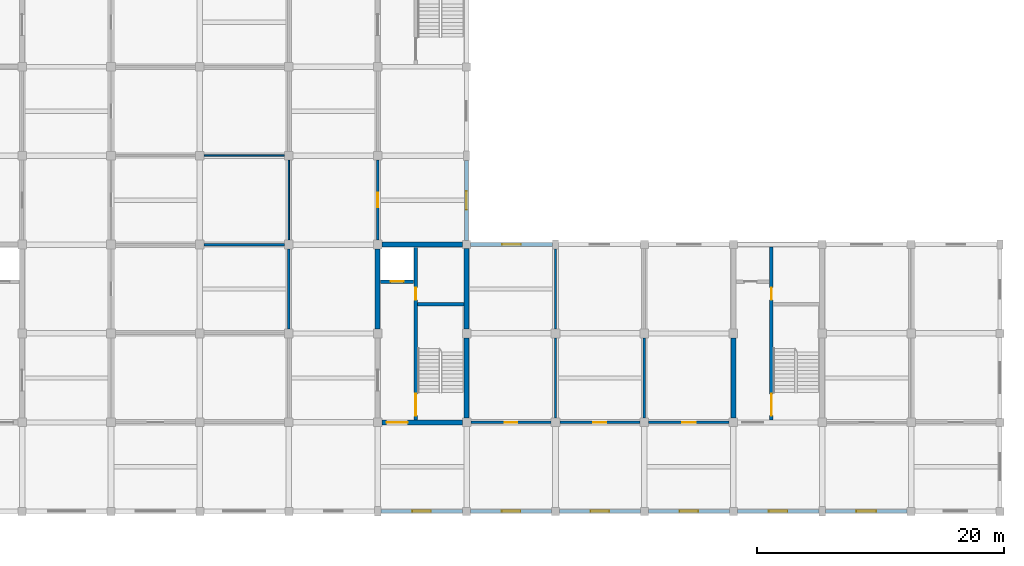
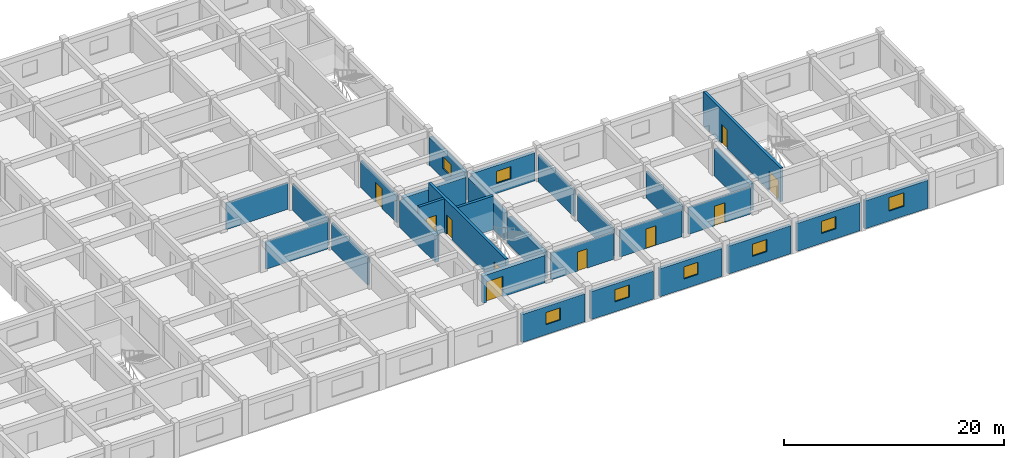
# One storey, part 7 of 11: 29 walls, 10 doors, 8 windows, 18 openings.
"""IFC4 building model written with IfcOpenShell, lengths in metres."""

from ifc_helpers import new_model, si_unit, direction, frame, frame_2d, origin, place, context, subcontext, project, spatial, rectangle, extrude, material, layer, layer_set, type_object, element, fill, save


model = new_model("IFC4")

# Units and contexts
model_context = context("Model", 3, precision=1e-05, world=origin(), true_north=direction((0.0, 1.0)))
body_context = subcontext(model_context, "Body", "Model", "MODEL_VIEW")
ifc_project = project(units=[si_unit("LENGTHUNIT", "METRE"), si_unit("AREAUNIT", "SQUARE_METRE"), si_unit("VOLUMEUNIT", "CUBIC_METRE"), si_unit("PLANEANGLEUNIT", "RADIAN"), si_unit("MASSUNIT", "GRAM", prefix="KILO")], contexts=[model_context])

# Site, building, storey
site_placement = place(None, origin())
site = spatial("IfcSite", under=ifc_project, at=site_placement, CompositionType="ELEMENT")
building_placement = place(site_placement, origin())
building = spatial("IfcBuilding", under=site, at=building_placement, Name="Cendaluz Park School", CompositionType="ELEMENT")
storey_placement = place(building_placement, frame((0.0, 0.0, 26.60009765625)))
storey = spatial("IfcBuildingStorey", under=building, at=storey_placement, Name="L06", CompositionType="ELEMENT", Elevation=26.60009765625)

# Wall, opening, door
ifc_material_1 = material(Name="Gypsum Plasterboard on Cold-Formed Stud", Category="gypsum")
ifc_layer_1 = layer(ifc_material_1, 0.199951171875)
ifc_layer_set_1 = layer_set([ifc_layer_1], Name="Gypsum Plasterboard on Cold-Formed Stud")
wall_type_1 = type_object("IfcWallType", Name="W-AC20", PredefinedType="PARTITIONING", material=ifc_layer_set_1)
wall_1_placement = place(storey_placement, frame((108.35009765625, 14.39990234375, 0.0), z_axis=(0.0, 0.0, 1.0), x_axis=(1.0, 0.0, 0.0)))
wall_1 = element("IfcWall", 1, at=wall_1_placement, inside=storey, type_object=wall_type_1, Name="WL-FG-BP1", PredefinedType="PARTITIONING", context=body_context, shape_type="SweptSolid", body=[
    extrude(rectangle(XDim=6.5, YDim=0.199951171875, at=frame_2d((3.25, 0.0))), origin(), (0.0, 0.0, 1.0), 2.9599609375),
])
opening_1_placement = place(wall_1_placement, frame((2.72998046875, 0.0, 0.0)))
opening_1 = element("IfcOpeningElement", 2, at=opening_1_placement, cuts=wall_1, Name="Opening DCL-03", PredefinedType="OPENING", context=body_context, shape_type="SweptSolid", body=[
    extrude(rectangle(XDim=1.0400390625, YDim=2.139892578125, at=frame_2d((0.52001953125, 1.06982421875))), frame((0.0, 0.112060546875, 0.0), z_axis=(0.0, -1.0, 0.0), x_axis=(1.0, 0.0, 0.0)), (0.0, 0.0, 1.0), 0.223876953125),
])
ifc_material_2 = material(Name="Solid Core Hardwood", Category="wood")
door_type_1 = type_object("IfcDoorType", Name="DCL-03", OperationType="NOTDEFINED", PredefinedType="DOOR", material=ifc_material_2)
door_1_placement = place(opening_1_placement, origin())
door_1 = element("IfcDoor", 3, at=door_1_placement, inside=storey, type_object=door_type_1, Name="D-L06-032", OperationType="SINGLE_SWING_RIGHT", OverallHeight=2.139892578125, OverallWidth=1.0400390625, PredefinedType="DOOR", context=body_context, shape_type="SweptSolid", body=[
    extrude(rectangle(XDim=1.0400390625, YDim=2.139892578125, at=frame_2d((0.52001953125, 1.06982421875))), frame((0.0, 0.02490234375, 0.0), z_axis=(0.0, -1.0, 0.0), x_axis=(1.0, 0.0, 0.0)), (0.0, 0.0, 1.0), 0.050048828125),
])
fill(opening_1, door_1)

# Walls
wall_2_placement = place(storey_placement, frame((115.199951171875, 14.75, 0.0), z_axis=(0.0, 0.0, 1.0), x_axis=(0.0, 1.0, 0.0)))
element("IfcWall", 4, at=wall_2_placement, inside=storey, type_object=wall_type_1, Name="WL-FG-BP2", PredefinedType="PARTITIONING", context=body_context, shape_type="SweptSolid", body=[
    extrude(rectangle(XDim=6.5, YDim=0.199951171875, at=frame_2d((3.25, 0.0))), origin(), (0.0, 0.0, 1.0), 2.9599609375),
])
wall_3_placement = place(storey_placement, frame((115.199951171875, 21.949951171875, 0.0), z_axis=(0.0, 0.0, 1.0), x_axis=(0.0, 1.0, 0.0)))
element("IfcWall", 5, at=wall_3_placement, inside=storey, type_object=wall_type_1, Name="WL-FG-BP3", PredefinedType="PARTITIONING", context=body_context, shape_type="SweptSolid", body=[
    extrude(rectangle(XDim=6.47509765625, YDim=0.199951171875, at=frame_2d((3.237548828125, 0.0))), origin(), (0.0, 0.0, 1.0), 2.9599609375),
])

# Wall, opening, door
wall_4_placement = place(storey_placement, frame((115.550048828125, 14.39990234375, 0.0), z_axis=(0.0, 0.0, 1.0), x_axis=(1.0, 0.0, 0.0)))
wall_4 = element("IfcWall", 6, at=wall_4_placement, inside=storey, type_object=wall_type_1, Name="WL-FG-BP4", PredefinedType="PARTITIONING", context=body_context, shape_type="SweptSolid", body=[
    extrude(rectangle(XDim=6.5, YDim=0.199951171875, at=frame_2d((3.25, 0.0))), origin(), (0.0, 0.0, 1.0), 2.9599609375),
])
opening_2_placement = place(wall_4_placement, frame((2.719970703125, 0.0, 0.0)))
opening_2 = element("IfcOpeningElement", 7, at=opening_2_placement, cuts=wall_4, Name="Opening DCL-04", PredefinedType="OPENING", context=body_context, shape_type="SweptSolid", body=[
    extrude(rectangle(XDim=1.06005859375, YDim=2.159912109375, at=frame_2d((0.530029296875, 1.080078125))), frame((0.0, 0.112060546875, 0.0), z_axis=(0.0, -1.0, 0.0), x_axis=(1.0, 0.0, 0.0)), (0.0, 0.0, 1.0), 0.223876953125),
])
door_type_2 = type_object("IfcDoorType", Name="DCL-04", OperationType="NOTDEFINED", PredefinedType="DOOR", material=ifc_material_2)
door_2_placement = place(opening_2_placement, origin())
door_2 = element("IfcDoor", 8, at=door_2_placement, inside=storey, type_object=door_type_2, Name="D-L06-033", OperationType="SINGLE_SWING_LEFT", OverallHeight=2.159912109375, OverallWidth=1.06005859375, PredefinedType="DOOR", context=body_context, shape_type="SweptSolid", body=[
    extrude(rectangle(XDim=1.06005859375, YDim=2.159912109375, at=frame_2d((0.530029296875, 1.080078125))), frame((0.0, 0.02490234375, 0.0), z_axis=(0.0, -1.0, 0.0), x_axis=(1.0, 0.0, 0.0)), (0.0, 0.0, 1.0), 0.050048828125),
])
fill(opening_2, door_2)

# Wall
wall_5_placement = place(storey_placement, frame((122.39990234375, 14.75, 0.0), z_axis=(0.0, 0.0, 1.0), x_axis=(0.0, 1.0, 0.0)))
element("IfcWall", 9, at=wall_5_placement, inside=storey, type_object=wall_type_1, Name="WL-FG-BP5", PredefinedType="PARTITIONING", context=body_context, shape_type="SweptSolid", body=[
    extrude(rectangle(XDim=6.5, YDim=0.199951171875, at=frame_2d((3.25, 0.0))), origin(), (0.0, 0.0, 1.0), 2.9599609375),
])

# Wall, opening, door
wall_6_placement = place(storey_placement, frame((122.75, 14.39990234375, 0.0), z_axis=(0.0, 0.0, 1.0), x_axis=(1.0, 0.0, 0.0)))
wall_6 = element("IfcWall", 10, at=wall_6_placement, inside=storey, type_object=wall_type_1, Name="WL-FG-BP7", PredefinedType="PARTITIONING", context=body_context, shape_type="SweptSolid", body=[
    extrude(rectangle(XDim=6.5, YDim=0.199951171875, at=frame_2d((3.25, 0.0))), origin(), (0.0, 0.0, 1.0), 2.9599609375),
])
opening_3_placement = place(wall_6_placement, frame((2.7099609375, 0.0, 0.0)))
opening_3 = element("IfcOpeningElement", 11, at=opening_3_placement, cuts=wall_6, Name="Opening DCL-05", PredefinedType="OPENING", context=body_context, shape_type="SweptSolid", body=[
    extrude(rectangle(XDim=1.080078125, YDim=2.179931640625, at=frame_2d((0.5400390625, 1.08984375))), frame((0.0, 0.112060546875, 0.0), z_axis=(0.0, -1.0, 0.0), x_axis=(1.0, 0.0, 0.0)), (0.0, 0.0, 1.0), 0.223876953125),
])
door_type_3 = type_object("IfcDoorType", Name="DCL-05", OperationType="NOTDEFINED", PredefinedType="DOOR", material=ifc_material_2)
door_3_placement = place(opening_3_placement, origin())
door_3 = element("IfcDoor", 12, at=door_3_placement, inside=storey, type_object=door_type_3, Name="D-L06-034", OperationType="SINGLE_SWING_RIGHT", OverallHeight=2.179931640625, OverallWidth=1.080078125, PredefinedType="DOOR", context=body_context, shape_type="SweptSolid", body=[
    extrude(rectangle(XDim=1.080078125, YDim=2.179931640625, at=frame_2d((0.5400390625, 1.08984375))), frame((0.0, 0.02490234375, 0.0), z_axis=(0.0, -1.0, 0.0), x_axis=(1.0, 0.0, 0.0)), (0.0, 0.0, 1.0), 0.050048828125),
])
fill(opening_3, door_3)

# Walls
wall_7_placement = place(storey_placement, frame((86.75, 28.800048828125, 0.0), z_axis=(0.0, 0.0, 1.0), x_axis=(1.0, 0.0, 0.0)))
element("IfcWall", 13, at=wall_7_placement, inside=storey, type_object=wall_type_1, Name="WL-FG-BR3", PredefinedType="PARTITIONING", context=body_context, shape_type="SweptSolid", body=[
    extrude(rectangle(XDim=6.5, YDim=0.199951171875, at=frame_2d((3.25, 0.0))), origin(), (0.0, 0.0, 1.0), 3.02978515625),
])
wall_8_placement = place(storey_placement, frame((93.60009765625, 21.949951171875, 0.0), z_axis=(0.0, 0.0, 1.0), x_axis=(0.0, 1.0, 0.0)))
element("IfcWall", 14, at=wall_8_placement, inside=storey, type_object=wall_type_1, Name="WL-FG-BR4", PredefinedType="PARTITIONING", context=body_context, shape_type="SweptSolid", body=[
    extrude(rectangle(XDim=6.5, YDim=0.199951171875, at=frame_2d((3.25, 0.0))), origin(), (0.0, 0.0, 1.0), 2.9599609375),
])

# Wall, opening, door
wall_9_placement = place(storey_placement, frame((100.800048828125, 29.14990234375, 0.0), z_axis=(0.0, 0.0, 1.0), x_axis=(0.0, 1.0, 0.0)))
wall_9 = element("IfcWall", 15, at=wall_9_placement, inside=storey, type_object=wall_type_1, Name="WL-FG-BT3", PredefinedType="PARTITIONING", context=body_context, shape_type="SweptSolid", body=[
    extrude(rectangle(XDim=6.5, YDim=0.199951171875, at=frame_2d((3.25, 0.0))), origin(), (0.0, 0.0, 1.0), 2.9599609375),
])
opening_4_placement = place(wall_9_placement, frame((2.669921875, 0.0, 0.0)))
opening_4 = element("IfcOpeningElement", 16, at=opening_4_placement, cuts=wall_9, Name="Opening DCL-07", PredefinedType="OPENING", context=body_context, shape_type="SweptSolid", body=[
    extrude(rectangle(XDim=1.159912109375, YDim=2.219970703125, at=frame_2d((0.580078125, 1.10986328125))), frame((0.0, 0.112060546875, 0.0), z_axis=(0.0, -1.0, 0.0), x_axis=(1.0, 0.0, 0.0)), (0.0, 0.0, 1.0), 0.223876953125),
])
door_type_4 = type_object("IfcDoorType", Name="DCL-07", OperationType="NOTDEFINED", PredefinedType="DOOR", material=ifc_material_2)
door_4_placement = place(opening_4_placement, frame((1.159912109375, 0.0, 0.0), z_axis=(0.0, 0.0, 1.0), x_axis=(-1.0, 0.0, 0.0)))
door_4 = element("IfcDoor", 17, at=door_4_placement, inside=storey, type_object=door_type_4, Name="D-L06-046", OperationType="SINGLE_SWING_RIGHT", OverallHeight=2.219970703125, OverallWidth=1.159912109375, PredefinedType="DOOR", context=body_context, shape_type="SweptSolid", body=[
    extrude(rectangle(XDim=1.159912109375, YDim=2.219970703125, at=frame_2d((0.580078125, 1.10986328125))), frame((0.0, 0.02490234375, 0.0), z_axis=(0.0, -1.0, 0.0), x_axis=(1.0, 0.0, 0.0)), (0.0, 0.0, 1.0), 0.050048828125),
])
fill(opening_4, door_4)

# Wall, opening, window
ifc_material_3 = material(Name="Concrete C40/50 precast", Category="concrete")
ifc_layer_2 = layer(ifc_material_3, 0.320068359375)
ifc_layer_set_2 = layer_set([ifc_layer_2], Name="Concrete C40/50 precast")
wall_type_2 = type_object("IfcWallType", Name="W-EX32", PredefinedType="SOLIDWALL", material=ifc_layer_set_2)
wall_10_placement = place(storey_placement, frame((101.050048828125, 7.199951171875, 0.0), z_axis=(0.0, 0.0, 1.0), x_axis=(1.0, 0.0, 0.0)))
wall_10 = element("IfcWall", 18, at=wall_10_placement, inside=storey, type_object=wall_type_2, Name="WL-FG-AC7", PredefinedType="SOLIDWALL", context=body_context, shape_type="SweptSolid", body=[
    extrude(rectangle(XDim=6.625, YDim=0.320068359375, at=frame_2d((3.3125, 0.0))), origin(), (0.0, 0.0, 1.0), 3.099853515625),
])
opening_5_placement = place(wall_10_placement, frame((2.5625, 0.0, 1.10009765625)))
opening_5 = element("IfcOpeningElement", 19, at=opening_5_placement, cuts=wall_10, Name="Opening WN-20", PredefinedType="OPENING", context=body_context, shape_type="SweptSolid", body=[
    extrude(rectangle(XDim=1.5, YDim=1.35009765625, at=frame_2d((0.75, 0.675048828125))), frame((0.0, 0.172119140625, 0.0), z_axis=(0.0, -1.0, 0.0), x_axis=(1.0, 0.0, 0.0)), (0.0, 0.0, 1.0), 0.343994140625),
])
ifc_material_4 = material(Name="Tempered Low-E Double Glazing", Category="glass")
window_type_1 = type_object("IfcWindowType", Name="WN-20", PartitioningType="SINGLE_PANEL", PredefinedType="WINDOW", material=ifc_material_4)
window_1_placement = place(opening_5_placement, origin())
window_1 = element("IfcWindow", 20, at=window_1_placement, inside=storey, type_object=window_type_1, Name="WN-L06-028", OverallHeight=1.35009765625, OverallWidth=1.5, PartitioningType="SINGLE_PANEL", PredefinedType="WINDOW", context=body_context, shape_type="SweptSolid", body=[
    extrude(rectangle(XDim=1.5, YDim=1.35009765625, at=frame_2d((0.75, 0.675048828125))), frame((0.0, 0.030029296875, 0.0), z_axis=(0.0, -1.0, 0.0), x_axis=(1.0, 0.0, 0.0)), (0.0, 0.0, 1.0), 0.06005859375),
])
fill(opening_5, window_1)

wall_11_placement = place(storey_placement, frame((108.0, 29.125, 0.0), z_axis=(0.0, 0.0, 1.0), x_axis=(0.0, 1.0, 0.0)))
wall_11 = element("IfcWall", 21, at=wall_11_placement, inside=storey, type_object=wall_type_2, Name="WL-FG-AC8", PredefinedType="SOLIDWALL", context=body_context, shape_type="SweptSolid", body=[
    extrude(rectangle(XDim=6.5, YDim=0.320068359375, at=frame_2d((3.25, 0.0))), origin(), (0.0, 0.0, 1.0), 3.099853515625),
])
opening_6_placement = place(wall_11_placement, frame((2.5, 0.0, 1.10009765625)))
opening_6 = element("IfcOpeningElement", 22, at=opening_6_placement, cuts=wall_11, Name="Opening WN-20", PredefinedType="OPENING", context=body_context, shape_type="SweptSolid", body=[
    extrude(rectangle(XDim=1.5, YDim=1.35009765625, at=frame_2d((0.75, 0.675048828125))), frame((0.0, 0.172119140625, 0.0), z_axis=(0.0, -1.0, 0.0), x_axis=(1.0, 0.0, 0.0)), (0.0, 0.0, 1.0), 0.343994140625),
])
window_2_placement = place(opening_6_placement, origin())
window_2 = element("IfcWindow", 23, at=window_2_placement, inside=storey, type_object=window_type_1, Name="WN-L06-029", OverallHeight=1.35009765625, OverallWidth=1.5, PartitioningType="SINGLE_PANEL", PredefinedType="WINDOW", context=body_context, shape_type="SweptSolid", body=[
    extrude(rectangle(XDim=1.5, YDim=1.35009765625, at=frame_2d((0.75, 0.675048828125))), frame((0.0, 0.030029296875, 0.0), z_axis=(0.0, -1.0, 0.0), x_axis=(1.0, 0.0, 0.0)), (0.0, 0.0, 1.0), 0.06005859375),
])
fill(opening_6, window_2)

wall_12_placement = place(storey_placement, frame((108.324951171875, 7.199951171875, 0.0), z_axis=(0.0, 0.0, 1.0), x_axis=(1.0, 0.0, 0.0)))
wall_12 = element("IfcWall", 24, at=wall_12_placement, inside=storey, type_object=wall_type_2, Name="WL-FG-AD2", PredefinedType="SOLIDWALL", context=body_context, shape_type="SweptSolid", body=[
    extrude(rectangle(XDim=6.550048828125, YDim=0.320068359375, at=frame_2d((3.27490234375, 0.0))), origin(), (0.0, 0.0, 1.0), 3.099853515625),
])
opening_7_placement = place(wall_12_placement, frame((2.52490234375, 0.0, 1.10009765625)))
opening_7 = element("IfcOpeningElement", 25, at=opening_7_placement, cuts=wall_12, Name="Opening WN-20", PredefinedType="OPENING", context=body_context, shape_type="SweptSolid", body=[
    extrude(rectangle(XDim=1.5, YDim=1.35009765625, at=frame_2d((0.75, 0.675048828125))), frame((0.0, 0.172119140625, 0.0), z_axis=(0.0, -1.0, 0.0), x_axis=(1.0, 0.0, 0.0)), (0.0, 0.0, 1.0), 0.343994140625),
])
window_3_placement = place(opening_7_placement, origin())
window_3 = element("IfcWindow", 26, at=window_3_placement, inside=storey, type_object=window_type_1, Name="WN-L06-033", OverallHeight=1.35009765625, OverallWidth=1.5, PartitioningType="SINGLE_PANEL", PredefinedType="WINDOW", context=body_context, shape_type="SweptSolid", body=[
    extrude(rectangle(XDim=1.5, YDim=1.35009765625, at=frame_2d((0.75, 0.675048828125))), frame((0.0, 0.030029296875, 0.0), z_axis=(0.0, -1.0, 0.0), x_axis=(1.0, 0.0, 0.0)), (0.0, 0.0, 1.0), 0.06005859375),
])
fill(opening_7, window_3)

wall_13_placement = place(storey_placement, frame((108.324951171875, 28.800048828125, 0.0), z_axis=(0.0, 0.0, 1.0), x_axis=(1.0, 0.0, 0.0)))
wall_13 = element("IfcWall", 27, at=wall_13_placement, inside=storey, type_object=wall_type_2, Name="WL-FG-AD3", PredefinedType="SOLIDWALL", context=body_context, shape_type="SweptSolid", body=[
    extrude(rectangle(XDim=6.625, YDim=0.320068359375, at=frame_2d((3.3125, 0.0))), origin(), (0.0, 0.0, 1.0), 3.099853515625),
])
opening_8_placement = place(wall_13_placement, frame((2.5625, 0.0, 1.10009765625)))
opening_8 = element("IfcOpeningElement", 28, at=opening_8_placement, cuts=wall_13, Name="Opening WN-20", PredefinedType="OPENING", context=body_context, shape_type="SweptSolid", body=[
    extrude(rectangle(XDim=1.5, YDim=1.35009765625, at=frame_2d((0.75, 0.675048828125))), frame((0.0, 0.172119140625, 0.0), z_axis=(0.0, -1.0, 0.0), x_axis=(1.0, 0.0, 0.0)), (0.0, 0.0, 1.0), 0.343994140625),
])
window_4_placement = place(opening_8_placement, origin())
window_4 = element("IfcWindow", 29, at=window_4_placement, inside=storey, type_object=window_type_1, Name="WN-L06-034", OverallHeight=1.35009765625, OverallWidth=1.5, PartitioningType="SINGLE_PANEL", PredefinedType="WINDOW", context=body_context, shape_type="SweptSolid", body=[
    extrude(rectangle(XDim=1.5, YDim=1.35009765625, at=frame_2d((0.75, 0.675048828125))), frame((0.0, 0.030029296875, 0.0), z_axis=(0.0, -1.0, 0.0), x_axis=(1.0, 0.0, 0.0)), (0.0, 0.0, 1.0), 0.06005859375),
])
fill(opening_8, window_4)

wall_14_placement = place(storey_placement, frame((115.52490234375, 7.199951171875, 0.0), z_axis=(0.0, 0.0, 1.0), x_axis=(1.0, 0.0, 0.0)))
wall_14 = element("IfcWall", 30, at=wall_14_placement, inside=storey, type_object=wall_type_2, Name="WL-FG-AD4", PredefinedType="SOLIDWALL", context=body_context, shape_type="SweptSolid", body=[
    extrude(rectangle(XDim=6.550048828125, YDim=0.320068359375, at=frame_2d((3.27490234375, 0.0))), origin(), (0.0, 0.0, 1.0), 3.099853515625),
])
opening_9_placement = place(wall_14_placement, frame((2.52490234375, 0.0, 1.10009765625)))
opening_9 = element("IfcOpeningElement", 31, at=opening_9_placement, cuts=wall_14, Name="Opening WN-20", PredefinedType="OPENING", context=body_context, shape_type="SweptSolid", body=[
    extrude(rectangle(XDim=1.5, YDim=1.35009765625, at=frame_2d((0.75, 0.675048828125))), frame((0.0, 0.172119140625, 0.0), z_axis=(0.0, -1.0, 0.0), x_axis=(1.0, 0.0, 0.0)), (0.0, 0.0, 1.0), 0.343994140625),
])
window_5_placement = place(opening_9_placement, origin())
window_5 = element("IfcWindow", 32, at=window_5_placement, inside=storey, type_object=window_type_1, Name="WN-L06-035", OverallHeight=1.35009765625, OverallWidth=1.5, PartitioningType="SINGLE_PANEL", PredefinedType="WINDOW", context=body_context, shape_type="SweptSolid", body=[
    extrude(rectangle(XDim=1.5, YDim=1.35009765625, at=frame_2d((0.75, 0.675048828125))), frame((0.0, 0.030029296875, 0.0), z_axis=(0.0, -1.0, 0.0), x_axis=(1.0, 0.0, 0.0)), (0.0, 0.0, 1.0), 0.06005859375),
])
fill(opening_9, window_5)

wall_15_placement = place(storey_placement, frame((122.72509765625, 7.199951171875, 0.0), z_axis=(0.0, 0.0, 1.0), x_axis=(1.0, 0.0, 0.0)))
wall_15 = element("IfcWall", 33, at=wall_15_placement, inside=storey, type_object=wall_type_2, Name="WL-FG-AD6", PredefinedType="SOLIDWALL", context=body_context, shape_type="SweptSolid", body=[
    extrude(rectangle(XDim=6.5498046875, YDim=0.320068359375, at=frame_2d((3.27490234375, 0.0))), origin(), (0.0, 0.0, 1.0), 3.099853515625),
])
opening_10_placement = place(wall_15_placement, frame((2.52490234375, 0.0, 1.10009765625)))
opening_10 = element("IfcOpeningElement", 34, at=opening_10_placement, cuts=wall_15, Name="Opening WN-20", PredefinedType="OPENING", context=body_context, shape_type="SweptSolid", body=[
    extrude(rectangle(XDim=1.5, YDim=1.35009765625, at=frame_2d((0.75, 0.675048828125))), frame((0.0, 0.172119140625, 0.0), z_axis=(0.0, -1.0, 0.0), x_axis=(1.0, 0.0, 0.0)), (0.0, 0.0, 1.0), 0.343994140625),
])
window_6_placement = place(opening_10_placement, origin())
window_6 = element("IfcWindow", 35, at=window_6_placement, inside=storey, type_object=window_type_1, Name="WN-L06-037", OverallHeight=1.35009765625, OverallWidth=1.5, PartitioningType="SINGLE_PANEL", PredefinedType="WINDOW", context=body_context, shape_type="SweptSolid", body=[
    extrude(rectangle(XDim=1.5, YDim=1.35009765625, at=frame_2d((0.75, 0.675048828125))), frame((0.0, 0.030029296875, 0.0), z_axis=(0.0, -1.0, 0.0), x_axis=(1.0, 0.0, 0.0)), (0.0, 0.0, 1.0), 0.06005859375),
])
fill(opening_10, window_6)

wall_16_placement = place(storey_placement, frame((129.925048828125, 7.199951171875, 0.0), z_axis=(0.0, 0.0, 1.0), x_axis=(1.0, 0.0, 0.0)))
wall_16 = element("IfcWall", 36, at=wall_16_placement, inside=storey, type_object=wall_type_2, Name="WL-FG-AD8", PredefinedType="SOLIDWALL", context=body_context, shape_type="SweptSolid", body=[
    extrude(rectangle(XDim=6.625, YDim=0.320068359375, at=frame_2d((3.3125, 0.0))), origin(), (0.0, 0.0, 1.0), 3.099853515625),
])
opening_11_placement = place(wall_16_placement, frame((2.5625, 0.0, 1.10009765625)))
opening_11 = element("IfcOpeningElement", 37, at=opening_11_placement, cuts=wall_16, Name="Opening WN-20", PredefinedType="OPENING", context=body_context, shape_type="SweptSolid", body=[
    extrude(rectangle(XDim=1.5, YDim=1.35009765625, at=frame_2d((0.75, 0.675048828125))), frame((0.0, 0.172119140625, 0.0), z_axis=(0.0, -1.0, 0.0), x_axis=(1.0, 0.0, 0.0)), (0.0, 0.0, 1.0), 0.343994140625),
])
window_7_placement = place(opening_11_placement, origin())
window_7 = element("IfcWindow", 38, at=window_7_placement, inside=storey, type_object=window_type_1, Name="WN-L06-039", OverallHeight=1.35009765625, OverallWidth=1.5, PartitioningType="SINGLE_PANEL", PredefinedType="WINDOW", context=body_context, shape_type="SweptSolid", body=[
    extrude(rectangle(XDim=1.5, YDim=1.35009765625, at=frame_2d((0.75, 0.675048828125))), frame((0.0, 0.030029296875, 0.0), z_axis=(0.0, -1.0, 0.0), x_axis=(1.0, 0.0, 0.0)), (0.0, 0.0, 1.0), 0.06005859375),
])
fill(opening_11, window_7)

wall_17_placement = place(storey_placement, frame((137.050048828125, 7.199951171875, 0.0), z_axis=(0.0, 0.0, 1.0), x_axis=(1.0, 0.0, 0.0)))
wall_17 = element("IfcWall", 39, at=wall_17_placement, inside=storey, type_object=wall_type_2, Name="WL-FG-AD9", PredefinedType="SOLIDWALL", context=body_context, shape_type="SweptSolid", body=[
    extrude(rectangle(XDim=6.625, YDim=0.320068359375, at=frame_2d((3.3125, 0.0))), origin(), (0.0, 0.0, 1.0), 3.099853515625),
])
opening_12_placement = place(wall_17_placement, frame((2.512451171875, 0.0, 1.10009765625)))
opening_12 = element("IfcOpeningElement", 40, at=opening_12_placement, cuts=wall_17, Name="Opening WN-16", PredefinedType="OPENING", context=body_context, shape_type="SweptSolid", body=[
    extrude(rectangle(XDim=1.60009765625, YDim=1.5, at=frame_2d((0.800048828125, 0.75))), frame((0.0, 0.172119140625, 0.0), z_axis=(0.0, -1.0, 0.0), x_axis=(1.0, 0.0, 0.0)), (0.0, 0.0, 1.0), 0.343994140625),
])
window_type_2 = type_object("IfcWindowType", Name="WN-16", PartitioningType="SINGLE_PANEL", PredefinedType="WINDOW", material=ifc_material_4)
window_8_placement = place(opening_12_placement, origin())
window_8 = element("IfcWindow", 41, at=window_8_placement, inside=storey, type_object=window_type_2, Name="WN-L06-040", OverallHeight=1.5, OverallWidth=1.60009765625, PartitioningType="SINGLE_PANEL", PredefinedType="WINDOW", context=body_context, shape_type="SweptSolid", body=[
    extrude(rectangle(XDim=1.60009765625, YDim=1.5, at=frame_2d((0.800048828125, 0.75))), frame((0.0, 0.030029296875, 0.0), z_axis=(0.0, -1.0, 0.0), x_axis=(1.0, 0.0, 0.0)), (0.0, 0.0, 1.0), 0.06005859375),
])
fill(opening_12, window_8)

# Wall, openings, doors
ifc_material_5 = material(Name="Concrete C40/50", Category="concrete")
ifc_layer_3 = layer(ifc_material_5, 0.280029296875)
ifc_layer_set_3 = layer_set([ifc_layer_3], Name="Concrete C40/50")
wall_type_3 = type_object("IfcWallType", Name="W-FW28", PredefinedType="SHEAR", material=ifc_layer_set_3)
wall_18_placement = place(storey_placement, frame((103.8798828125, 14.60009765625, 0.0), z_axis=(0.0, 0.0, 1.0), x_axis=(0.0, 1.0, 0.0)))
wall_18 = element("IfcWall", 42, at=wall_18_placement, inside=storey, type_object=wall_type_3, Name="WL-FG-BK1", PredefinedType="SHEAR", context=body_context, shape_type="SweptSolid", body=[
    extrude(rectangle(XDim=14.0, YDim=0.280029296875, at=frame_2d((7.0, 0.0))), origin(), (0.0, 0.0, 1.0), 3.72998046875),
])
opening_13_placement = place(wall_18_placement, frame((0.35009765625, 0.0, 0.0)))
opening_13 = element("IfcOpeningElement", 43, at=opening_13_placement, cuts=wall_18, Name="Opening DST-03", PredefinedType="OPENING", context=body_context, shape_type="SweptSolid", body=[
    extrude(rectangle(XDim=1.75, YDim=2.14990234375, at=frame_2d((0.875, 1.074951171875))), frame((0.0, 0.152099609375, 0.0), z_axis=(0.0, -1.0, 0.0), x_axis=(1.0, 0.0, 0.0)), (0.0, 0.0, 1.0), 0.303955078125),
])
opening_14_placement = place(wall_18_placement, frame((9.719970703125, 0.0, 0.0)))
opening_14 = element("IfcOpeningElement", 44, at=opening_14_placement, cuts=wall_18, Name="Opening DFC-01", PredefinedType="OPENING", context=body_context, shape_type="SweptSolid", body=[
    extrude(rectangle(XDim=1.0, YDim=2.14990234375, at=frame_2d((0.5, 1.074951171875))), frame((0.0, 0.152099609375, 0.0), z_axis=(0.0, -1.0, 0.0), x_axis=(1.0, 0.0, 0.0)), (0.0, 0.0, 1.0), 0.303955078125),
])
door_type_5 = type_object("IfcDoorType", Name="DFC-01", OperationType="NOTDEFINED", PredefinedType="DOOR", material=ifc_material_2)
door_5_placement = place(opening_14_placement, frame((1.0, 0.0, 0.0), z_axis=(0.0, 0.0, 1.0), x_axis=(-1.0, 0.0, 0.0)))
door_5 = element("IfcDoor", 45, at=door_5_placement, inside=storey, type_object=door_type_5, Name="D-L06-009", OperationType="SINGLE_SWING_RIGHT", OverallHeight=2.14990234375, OverallWidth=1.0, PredefinedType="DOOR", context=body_context, shape_type="SweptSolid", body=[
    extrude(rectangle(XDim=1.0, YDim=2.14990234375, at=frame_2d((0.5, 1.074951171875))), frame((0.0, 0.02490234375, 0.0), z_axis=(0.0, -1.0, 0.0), x_axis=(1.0, 0.0, 0.0)), (0.0, 0.0, 1.0), 0.050048828125),
])
fill(opening_14, door_5)
door_type_6 = type_object("IfcDoorType", Name="DST-03", OperationType="DOUBLE_DOOR_SINGLE_SWING", PredefinedType="DOOR", material=ifc_material_2)
door_6_placement = place(opening_13_placement, frame((1.75, 0.0, 0.0), z_axis=(0.0, 0.0, 1.0), x_axis=(-1.0, 0.0, 0.0)))
door_6 = element("IfcDoor", 46, at=door_6_placement, inside=storey, type_object=door_type_6, Name="D-L06-008", OperationType="DOUBLE_DOOR_SINGLE_SWING", OverallHeight=2.14990234375, OverallWidth=1.75, PredefinedType="DOOR", context=body_context, shape_type="SweptSolid", body=[
    extrude(rectangle(XDim=1.75, YDim=2.14990234375, at=frame_2d((0.875, 1.074951171875))), frame((0.0, 0.02490234375, 0.0), z_axis=(0.0, -1.0, 0.0), x_axis=(1.0, 0.0, 0.0)), (0.0, 0.0, 1.0), 0.050048828125),
])
fill(opening_13, door_6)

# Wall
wall_19_placement = place(storey_placement, frame((104.02001953125, 23.97998046875, 0.0), z_axis=(0.0, 0.0, 1.0), x_axis=(1.0, 0.0, 0.0)))
element("IfcWall", 47, at=wall_19_placement, inside=storey, type_object=wall_type_3, Name="WL-FG-BK2", PredefinedType="SHEAR", context=body_context, shape_type="SweptSolid", body=[
    extrude(rectangle(XDim=3.780029296875, YDim=0.280029296875, at=frame_2d((1.89013671875, 0.0))), origin(), (0.0, 0.0, 1.0), 3.72998046875),
])

# Wall, opening, door
wall_20_placement = place(storey_placement, frame((101.0400390625, 25.800048828125, 0.0), z_axis=(0.0, 0.0, 1.0), x_axis=(1.0, 0.0, 0.0)))
wall_20 = element("IfcWall", 48, at=wall_20_placement, inside=storey, type_object=wall_type_3, Name="WL-FG-BK3", PredefinedType="SHEAR", context=body_context, shape_type="SweptSolid", body=[
    extrude(rectangle(XDim=2.679931640625, YDim=0.280029296875, at=frame_2d((1.33984375, 0.0))), origin(), (0.0, 0.0, 1.0), 3.72998046875),
])
opening_15_placement = place(wall_20_placement, frame((0.81494140625, 0.0, 0.0)))
opening_15 = element("IfcOpeningElement", 49, at=opening_15_placement, cuts=wall_20, Name="Opening LD-02", PredefinedType="OPENING", context=body_context, shape_type="SweptSolid", body=[
    extrude(rectangle(XDim=1.050048828125, YDim=2.199951171875, at=frame_2d((0.52490234375, 1.10009765625))), frame((0.0, 0.152099609375, 0.0), z_axis=(0.0, -1.0, 0.0), x_axis=(1.0, 0.0, 0.0)), (0.0, 0.0, 1.0), 0.303955078125),
])
ifc_material_6 = material(Name="Stainless Steel 316L", Category="steel")
door_type_7 = type_object("IfcDoorType", Name="LD-02", OperationType="DOUBLE_DOOR_SLIDING", PredefinedType="DOOR", material=ifc_material_6)
door_7_placement = place(opening_15_placement, frame((1.050048828125, 0.0, 0.0), z_axis=(0.0, 0.0, 1.0), x_axis=(-1.0, 0.0, 0.0)))
door_7 = element("IfcDoor", 50, at=door_7_placement, inside=storey, type_object=door_type_7, Name="D-L06-010", OperationType="DOUBLE_DOOR_SLIDING", OverallHeight=2.199951171875, OverallWidth=1.050048828125, PredefinedType="DOOR", context=body_context, shape_type="SweptSolid", body=[
    extrude(rectangle(XDim=1.050048828125, YDim=2.199951171875, at=frame_2d((0.52490234375, 1.10009765625))), frame((0.0, 0.02490234375, 0.0), z_axis=(0.0, -1.0, 0.0), x_axis=(1.0, 0.0, 0.0)), (0.0, 0.0, 1.0), 0.050048828125),
])
fill(opening_15, door_7)

# Wall, openings, doors
wall_21_placement = place(storey_placement, frame((132.679931640625, 14.60009765625, 0.0), z_axis=(0.0, 0.0, 1.0), x_axis=(0.0, 1.0, 0.0)))
wall_21 = element("IfcWall", 51, at=wall_21_placement, inside=storey, type_object=wall_type_3, Name="WL-FG-BN7", PredefinedType="SHEAR", context=body_context, shape_type="SweptSolid", body=[
    extrude(rectangle(XDim=14.0, YDim=0.280029296875, at=frame_2d((7.0, 0.0))), origin(), (0.0, 0.0, 1.0), 3.72998046875),
])
opening_16_placement = place(wall_21_placement, frame((0.35009765625, 0.0, 0.0)))
opening_16 = element("IfcOpeningElement", 52, at=opening_16_placement, cuts=wall_21, Name="Opening DST-03", PredefinedType="OPENING", context=body_context, shape_type="SweptSolid", body=[
    extrude(rectangle(XDim=1.75, YDim=2.14990234375, at=frame_2d((0.875, 1.074951171875))), frame((0.0, 0.152099609375, 0.0), z_axis=(0.0, -1.0, 0.0), x_axis=(1.0, 0.0, 0.0)), (0.0, 0.0, 1.0), 0.303955078125),
])
opening_17_placement = place(wall_21_placement, frame((9.719970703125, 0.0, 0.0)))
opening_17 = element("IfcOpeningElement", 53, at=opening_17_placement, cuts=wall_21, Name="Opening DFC-01", PredefinedType="OPENING", context=body_context, shape_type="SweptSolid", body=[
    extrude(rectangle(XDim=1.0, YDim=2.14990234375, at=frame_2d((0.5, 1.074951171875))), frame((0.0, 0.152099609375, 0.0), z_axis=(0.0, -1.0, 0.0), x_axis=(1.0, 0.0, 0.0)), (0.0, 0.0, 1.0), 0.303955078125),
])
door_8_placement = place(opening_17_placement, frame((1.0, 0.0, 0.0), z_axis=(0.0, 0.0, 1.0), x_axis=(-1.0, 0.0, 0.0)))
door_8 = element("IfcDoor", 54, at=door_8_placement, inside=storey, type_object=door_type_5, Name="D-L06-025", OperationType="SINGLE_SWING_LEFT", OverallHeight=2.14990234375, OverallWidth=1.0, PredefinedType="DOOR", context=body_context, shape_type="SweptSolid", body=[
    extrude(rectangle(XDim=1.0, YDim=2.14990234375, at=frame_2d((0.5, 1.074951171875))), frame((0.0, 0.02490234375, 0.0), z_axis=(0.0, -1.0, 0.0), x_axis=(1.0, 0.0, 0.0)), (0.0, 0.0, 1.0), 0.050048828125),
])
fill(opening_17, door_8)
door_9_placement = place(opening_16_placement, frame((1.75, 0.0, 0.0), z_axis=(0.0, 0.0, 1.0), x_axis=(-1.0, 0.0, 0.0)))
door_9 = element("IfcDoor", 55, at=door_9_placement, inside=storey, type_object=door_type_6, Name="D-L06-024", OperationType="DOUBLE_DOOR_SINGLE_SWING", OverallHeight=2.14990234375, OverallWidth=1.75, PredefinedType="DOOR", context=body_context, shape_type="SweptSolid", body=[
    extrude(rectangle(XDim=1.75, YDim=2.14990234375, at=frame_2d((0.875, 1.074951171875))), frame((0.0, 0.02490234375, 0.0), z_axis=(0.0, -1.0, 0.0), x_axis=(1.0, 0.0, 0.0)), (0.0, 0.0, 1.0), 0.050048828125),
])
fill(opening_16, door_9)

# Walls
ifc_layer_4 = layer(ifc_material_1, 0.1201171875)
ifc_layer_set_4 = layer_set([ifc_layer_4], Name="Gypsum Plasterboard on Cold-Formed Stud")
wall_type_4 = type_object("IfcWallType", Name="W-MV12", PredefinedType="MOVABLE", material=ifc_layer_set_4)
for number, where, z_axis, x_axis, name in (
    (56, (86.75, 36.0, 0.0), (0.0, 0.0, 1.0), (1.0, 0.0, 0.0), "WL-FG-BR7"),
    (57, (93.60009765625, 29.14990234375, 0.0), (0.0, 0.0, 1.0), (0.0, 1.0, 0.0), "WL-FG-BR8"),
):
    element("IfcWall", number, at=place(storey_placement, frame(where, z_axis=z_axis, x_axis=x_axis)), inside=storey, type_object=wall_type_4, Name=name, PredefinedType="MOVABLE", context=body_context, shape_type="SweptSolid", body=[
        extrude(rectangle(XDim=6.5, YDim=0.1201171875, at=frame_2d((3.25, 0.0))), origin(), (0.0, 0.0, 1.0), 2.9599609375),
    ])
ifc_layer_5 = layer(ifc_material_5, 0.39990234375)
ifc_layer_set_5 = layer_set([ifc_layer_5], Name="Concrete C40/50")
wall_type_5 = type_object("IfcWallType", Name="W-SH40", PredefinedType="SHEAR", material=ifc_layer_set_5)
for number, where, z_axis, x_axis, name in (
    (58, (100.800048828125, 21.949951171875, 0.0), (0.0, 0.0, 1.0), (0.0, 1.0, 0.0), "WL-FG-BJ6"),
    (59, (108.0, 14.75, 0.0), (0.0, 0.0, 1.0), (0.0, 1.0, 0.0), "WL-FG-BJ7"),
):
    element("IfcWall", number, at=place(storey_placement, frame(where, z_axis=z_axis, x_axis=x_axis)), inside=storey, type_object=wall_type_5, Name=name, PredefinedType="SHEAR", context=body_context, shape_type="SweptSolid", body=[
        extrude(rectangle(XDim=6.5, YDim=0.39990234375, at=frame_2d((3.25, 0.0))), origin(), (0.0, 0.0, 1.0), 2.9599609375),
    ])
wall_22_placement = place(storey_placement, frame((108.0, 21.949951171875, 0.0), z_axis=(0.0, 0.0, 1.0), x_axis=(0.0, 1.0, 0.0)))
element("IfcWall", 60, at=wall_22_placement, inside=storey, type_object=wall_type_5, Name="WL-FG-BJ8", PredefinedType="SHEAR", context=body_context, shape_type="SweptSolid", body=[
    extrude(rectangle(XDim=6.525146484375, YDim=0.39990234375, at=frame_2d((3.2626953125, 0.0))), origin(), (0.0, 0.0, 1.0), 2.9599609375),
])

# Wall, opening, door
wall_23_placement = place(storey_placement, frame((101.14990234375, 14.39990234375, 0.0), z_axis=(0.0, 0.0, 1.0), x_axis=(1.0, 0.0, 0.0)))
wall_23 = element("IfcWall", 61, at=wall_23_placement, inside=storey, type_object=wall_type_5, Name="WL-FG-BJ9", PredefinedType="SHEAR", context=body_context, shape_type="SweptSolid", body=[
    extrude(rectangle(XDim=6.5, YDim=0.39990234375, at=frame_2d((3.25, 0.0))), origin(), (0.0, 0.0, 1.0), 3.02978515625),
])
opening_18_placement = place(wall_23_placement, frame((0.3798828125, 0.0, 0.0)))
opening_18 = element("IfcOpeningElement", 62, at=opening_18_placement, cuts=wall_23, Name="Opening DLB-02", PredefinedType="OPENING", context=body_context, shape_type="SweptSolid", body=[
    extrude(rectangle(XDim=1.699951171875, YDim=2.25, at=frame_2d((0.85009765625, 1.125))), frame((0.0, 0.2119140625, 0.0), z_axis=(0.0, -1.0, 0.0), x_axis=(1.0, 0.0, 0.0)), (0.0, 0.0, 1.0), 0.423828125),
])
door_type_8 = type_object("IfcDoorType", Name="DLB-02", OperationType="DOUBLE_DOOR_SINGLE_SWING", PredefinedType="DOOR", material=ifc_material_2)
door_10_placement = place(opening_18_placement, origin())
door_10 = element("IfcDoor", 63, at=door_10_placement, inside=storey, type_object=door_type_8, Name="D-L06-007", OperationType="DOUBLE_DOOR_SINGLE_SWING", OverallHeight=2.25, OverallWidth=1.699951171875, PredefinedType="DOOR", context=body_context, shape_type="SweptSolid", body=[
    extrude(rectangle(XDim=1.699951171875, YDim=2.25, at=frame_2d((0.85009765625, 1.125))), frame((0.0, 0.02490234375, 0.0), z_axis=(0.0, -1.0, 0.0), x_axis=(1.0, 0.0, 0.0)), (0.0, 0.0, 1.0), 0.050048828125),
])
fill(opening_18, door_10)

# Walls
wall_24_placement = place(storey_placement, frame((101.14990234375, 28.800048828125, 0.0), z_axis=(0.0, 0.0, 1.0), x_axis=(1.0, 0.0, 0.0)))
element("IfcWall", 64, at=wall_24_placement, inside=storey, type_object=wall_type_5, Name="WL-FG-BK0", PredefinedType="SHEAR", context=body_context, shape_type="SweptSolid", body=[
    extrude(rectangle(XDim=6.525146484375, YDim=0.39990234375, at=frame_2d((3.2626953125, 0.0))), origin(), (0.0, 0.0, 1.0), 2.9599609375),
])
wall_25_placement = place(storey_placement, frame((129.60009765625, 14.75, 0.0), z_axis=(0.0, 0.0, 1.0), x_axis=(0.0, 1.0, 0.0)))
element("IfcWall", 65, at=wall_25_placement, inside=storey, type_object=wall_type_5, Name="WL-FG-BN1", PredefinedType="SHEAR", context=body_context, shape_type="SweptSolid", body=[
    extrude(rectangle(XDim=6.5, YDim=0.39990234375, at=frame_2d((3.25, 0.0))), origin(), (0.0, 0.0, 1.0), 2.9599609375),
])

save(model, "model.ifc")
